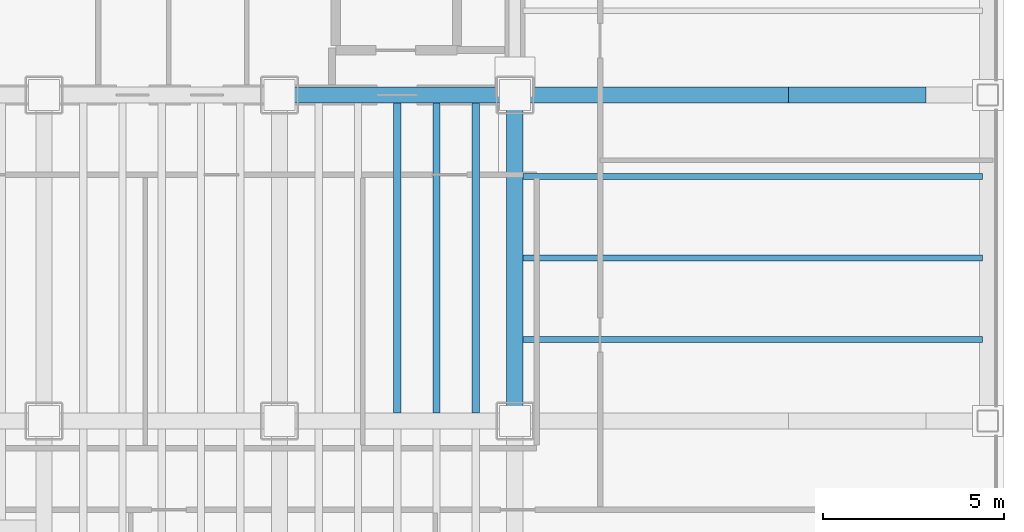
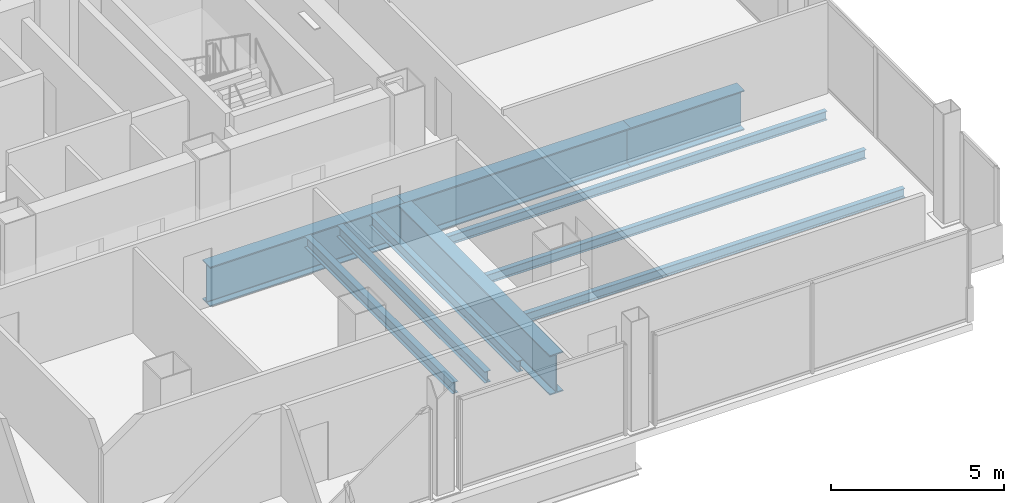
# One storey, part 12 of 23: 10 beams.
"""IFC4 building model written with IfcOpenShell, lengths in metres."""

from ifc_helpers import new_model, si_unit, direction, frame, origin, origin_2d, place, context, subcontext, project, spatial, i_section, extrude, material, material_profile, profile_set, type_object, element, save


model = new_model("IFC4")

# Units and contexts
model_context = context("Model", 3, precision=1e-05, world=origin(), true_north=direction((0.0, 1.0)))
body_context = subcontext(model_context, "Body", "Model", "MODEL_VIEW")
ifc_project = project(units=[si_unit("LENGTHUNIT", "METRE"), si_unit("AREAUNIT", "SQUARE_METRE"), si_unit("VOLUMEUNIT", "CUBIC_METRE"), si_unit("PLANEANGLEUNIT", "RADIAN"), si_unit("MASSUNIT", "GRAM", prefix="KILO")], contexts=[model_context])

# Site, building, storey
site_placement = place(None, origin())
site = spatial("IfcSite", under=ifc_project, at=site_placement, CompositionType="ELEMENT")
building_placement = place(site_placement, origin())
building = spatial("IfcBuilding", under=site, at=building_placement, Name="Noeulbin Bourse Tower", CompositionType="ELEMENT")
storey_placement = place(building_placement, frame((0.0, 0.0, 53.800048828125)))
storey = spatial("IfcBuildingStorey", under=building, at=storey_placement, Name="L13", CompositionType="ELEMENT", Elevation=53.800048828125)

# Beams
ifc_material_1 = material(Name="Steel S355", Category="steel")
ifc_material_profile_1 = material_profile(ifc_material_1, i_section(OverallWidth=0.159912109375, OverallDepth=0.320068359375, WebThickness=0.006591796875, FlangeThickness=0.010009765625, FilletRadius=0.012939453125, at=origin_2d()), Name="H-320x160x6.5x10", Category="LoadBearing")
ifc_profile_set_1 = profile_set([ifc_material_profile_1], Name="Steel S355")
beam_type_1 = type_object("IfcBeamType", Name="BM-JST-320", PredefinedType="JOIST", material=ifc_profile_set_1)
for number, where, z_axis, x_axis, name in (
    (1, (44.22509765625, 22.25, -0.400146484375), (1.0, 0.0, 0.0), (0.0, 1.0, 0.0), "Wing Composite Joist L13-E76"),
    (2, (44.22509765625, 24.5, -0.400146484375), (1.0, 0.0, 0.0), (0.0, 1.0, 0.0), "Wing Composite Joist L13-E77"),
    (3, (44.22509765625, 26.75, -0.400146484375), (1.0, 0.0, 0.0), (0.0, 1.0, 0.0), "Wing Composite Joist L13-E78"),
):
    element("IfcBeam", number, at=place(storey_placement, frame(where, z_axis=z_axis, x_axis=x_axis)), inside=storey, type_object=beam_type_1, Name=name, PredefinedType="JOIST", context=body_context, shape_type="SweptSolid", body=[
        extrude(i_section(OverallWidth=0.159912109375, OverallDepth=0.320068359375, WebThickness=0.006591796875, FlangeThickness=0.010009765625, FilletRadius=0.012939453125, at=origin_2d()), origin(), (0.0, 0.0, 1.0), 12.6748046875),
    ])
ifc_material_profile_2 = material_profile(ifc_material_1, i_section(OverallWidth=0.199951171875, OverallDepth=0.39990234375, WebThickness=0.008056640625, FlangeThickness=0.012939453125, FilletRadius=0.01611328125, at=origin_2d()), Name="H-400x200x8x13", Category="LoadBearing")
ifc_profile_set_2 = profile_set([ifc_material_profile_2], Name="Steel S355")
beam_type_2 = type_object("IfcBeamType", Name="BM-SEC-400", PredefinedType="BEAM", material=ifc_profile_set_2)
for number, where, z_axis, x_axis, name in (
    (4, (40.75, 20.22509765625, -0.43994140625), (0.0, 1.0, 0.0), (-1.0, 0.0, 0.0), "Tower Composite Joist L13-62"),
    (5, (41.833251953125, 20.22509765625, -0.43994140625), (0.0, 1.0, 0.0), (-1.0, 0.0, 0.0), "Tower Composite Joist L13-65"),
    (6, (42.916748046875, 20.22509765625, -0.43994140625), (0.0, 1.0, 0.0), (-1.0, 0.0, 0.0), "Tower Composite Joist L13-68"),
):
    element("IfcBeam", number, at=place(storey_placement, frame(where, z_axis=z_axis, x_axis=x_axis)), inside=storey, type_object=beam_type_2, Name=name, PredefinedType="BEAM", context=body_context, shape_type="SweptSolid", body=[
        extrude(i_section(OverallWidth=0.199951171875, OverallDepth=0.39990234375, WebThickness=0.008056640625, FlangeThickness=0.012939453125, FilletRadius=0.01611328125, at=origin_2d()), origin(), (0.0, 0.0, 1.0), 8.5498046875),
    ])
ifc_material_2 = material(Name="Steel S460", Category="steel")
ifc_material_profile_3 = material_profile(ifc_material_2, i_section(OverallWidth=0.449951171875, OverallDepth=1.39990234375, WebThickness=0.02392578125, FlangeThickness=0.0400390625, FilletRadius=0.02392578125, at=origin_2d()), Name="PG-1400x450x24x40", Category="LoadBearing")
ifc_profile_set_3 = profile_set([ifc_material_profile_3], Name="Steel S460")
beam_type_3 = type_object("IfcBeamType", Name="BM-TRF-1400", PredefinedType="USERDEFINED", material=ifc_profile_set_3)
beam_1_placement = place(storey_placement, frame((37.5, 29.0, -0.93994140625), z_axis=(1.0, 0.0, 0.0), x_axis=(0.0, 1.0, 0.0)))
element("IfcBeam", 7, at=beam_1_placement, inside=storey, type_object=beam_type_3, Name="Tower Primary Girder EW L13-2.5", ObjectType="GIRDER", PredefinedType="USERDEFINED", context=body_context, shape_type="SweptSolid", body=[
    extrude(i_section(OverallWidth=0.449951171875, OverallDepth=1.39990234375, WebThickness=0.02392578125, FlangeThickness=0.0400390625, FilletRadius=0.02392578125, at=origin_2d()), origin(), (0.0, 0.0, 1.0), 6.5),
])
beam_2_placement = place(storey_placement, frame((44.0, 29.0, -0.93994140625), z_axis=(1.0, 0.0, 0.0), x_axis=(0.0, 1.0, 0.0)))
element("IfcBeam", 8, at=beam_2_placement, inside=storey, type_object=beam_type_3, Name="Tower Primary Girder EW L13-2.6", ObjectType="GIRDER", PredefinedType="USERDEFINED", context=body_context, shape_type="SweptSolid", body=[
    extrude(i_section(OverallWidth=0.449951171875, OverallDepth=1.39990234375, WebThickness=0.02392578125, FlangeThickness=0.0400390625, FilletRadius=0.02392578125, at=origin_2d()), origin(), (0.0, 0.0, 1.0), 7.550048828125),
])
beam_3_placement = place(storey_placement, frame((51.550048828125, 29.0, -0.93994140625), z_axis=(1.0, 0.0, 0.0), x_axis=(0.0, 1.0, 0.0)))
element("IfcBeam", 9, at=beam_3_placement, inside=storey, type_object=beam_type_3, Name="Tower Primary Girder EW L13-2.7", ObjectType="GIRDER", PredefinedType="USERDEFINED", context=body_context, shape_type="SweptSolid", body=[
    extrude(i_section(OverallWidth=0.449951171875, OverallDepth=1.39990234375, WebThickness=0.02392578125, FlangeThickness=0.0400390625, FilletRadius=0.02392578125, at=origin_2d()), origin(), (0.0, 0.0, 1.0), 3.800048828125),
])
beam_4_placement = place(storey_placement, frame((44.0, 20.0, -0.93994140625), z_axis=(0.0, 1.0, 0.0), x_axis=(-1.0, 0.0, 0.0)))
element("IfcBeam", 10, at=beam_4_placement, inside=storey, type_object=beam_type_3, Name="Tower Primary Girder NS L13-5.2", ObjectType="GIRDER", PredefinedType="USERDEFINED", context=body_context, shape_type="SweptSolid", body=[
    extrude(i_section(OverallWidth=0.449951171875, OverallDepth=1.39990234375, WebThickness=0.02392578125, FlangeThickness=0.0400390625, FilletRadius=0.02392578125, at=origin_2d()), origin(), (0.0, 0.0, 1.0), 9.0),
])

save(model, "model.ifc")
